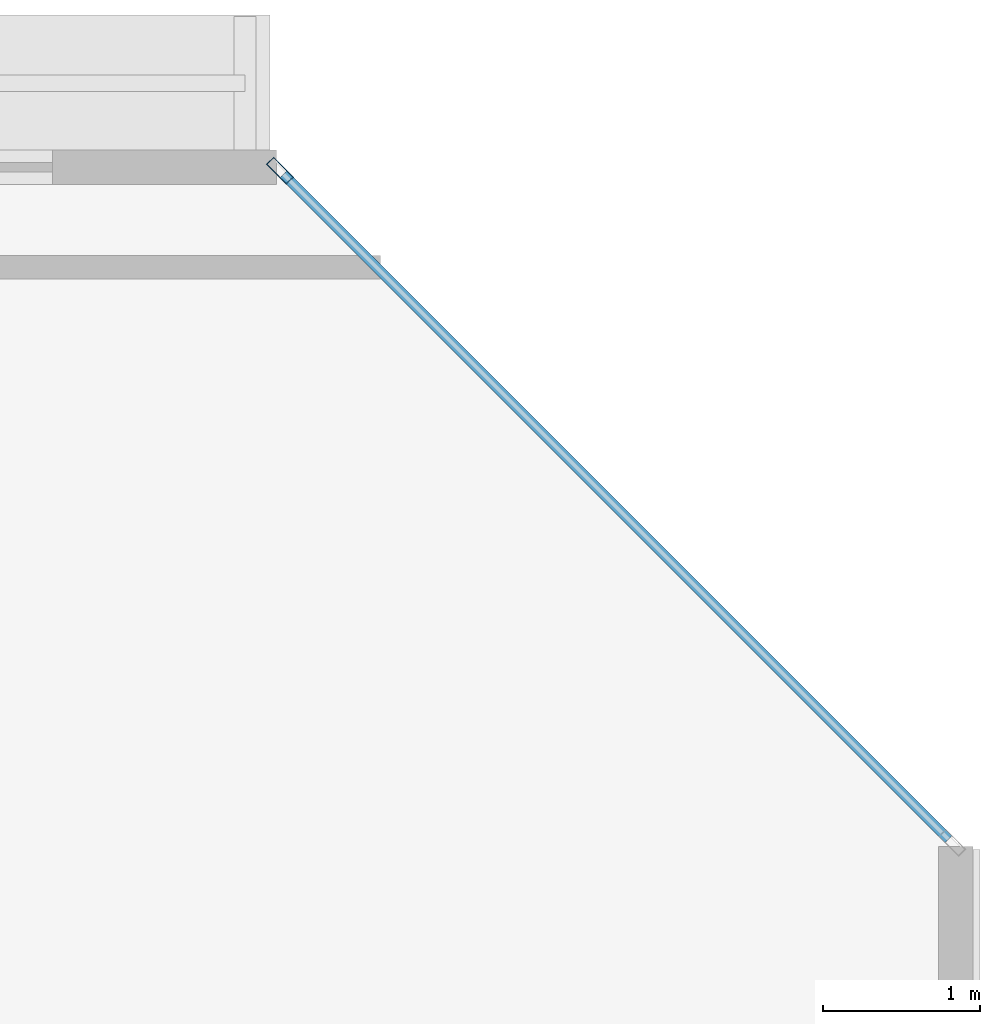
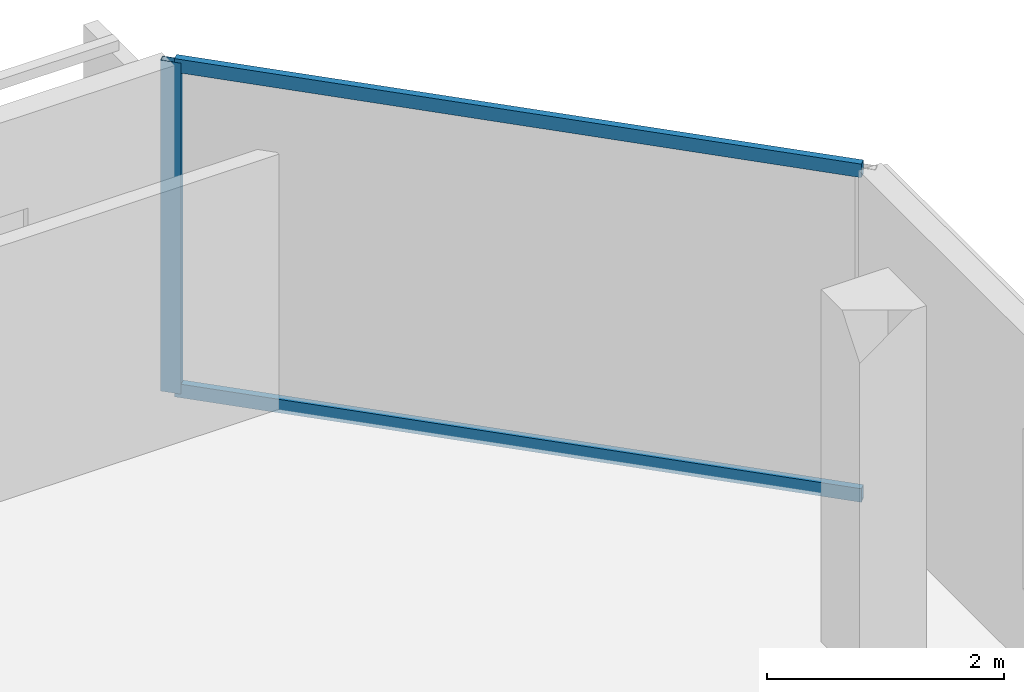
# One storey, part 19 of 28: 3 members, 1 element without a shape of its own.
"""IFC4 building model written with IfcOpenShell, lengths in metres."""

from ifc_helpers import new_model, si_unit, direction, frame, origin, origin_2d, place, context, subcontext, project, spatial, hollow_rectangle, extrude, material, layer, layer_set, material_profile, profile_set, type_object, element, aggregate, save


model = new_model("IFC4")

# Units and contexts
model_context = context("Model", 3, precision=1e-05, world=origin(), true_north=direction((0.0, 1.0)))
body_context = subcontext(model_context, "Body", "Model", "MODEL_VIEW")
ifc_project = project(units=[si_unit("LENGTHUNIT", "METRE"), si_unit("AREAUNIT", "SQUARE_METRE"), si_unit("VOLUMEUNIT", "CUBIC_METRE"), si_unit("PLANEANGLEUNIT", "RADIAN"), si_unit("MASSUNIT", "GRAM", prefix="KILO")], contexts=[model_context])

# Site, building, storey
site_placement = place(None, origin())
site = spatial("IfcSite", under=ifc_project, at=site_placement, CompositionType="ELEMENT")
building_placement = place(site_placement, origin())
building = spatial("IfcBuilding", under=site, at=building_placement, Name="Tanjung Sevakor Pilgrim Tower", CompositionType="ELEMENT")
storey_placement = place(building_placement, frame((0.0, 0.0, 242.550048828125)))
storey = spatial("IfcBuildingStorey", under=building, at=storey_placement, Name="L68", CompositionType="ELEMENT", Elevation=242.550048828125)

# Curtain wall, members
ifc_material_1 = material(Name="Aluminium 6063-T6 and Low-E Glass", Category="aluminium")
ifc_layer = layer(ifc_material_1, 0.179931640625)
ifc_layer_set = layer_set([ifc_layer], Name="CW-SYS-CHAM")
curtain_wall_type = type_object("IfcCurtainWallType", Name="CW-SYS-CHAM", PredefinedType="NOTDEFINED", material=ifc_layer_set)
curtain_wall_placement = place(storey_placement, origin())
curtain_wall = element("IfcCurtainWall", 1, at=curtain_wall_placement, inside=storey, type_object=curtain_wall_type, Name="L68 Curtain Wall CW-CHM-L68-EAST-3", PredefinedType="NOTDEFINED")
ifc_material_2 = material(Name="Aluminium 6063-T6", Category="aluminium")
ifc_material_profile_1 = material_profile(ifc_material_2, hollow_rectangle(XDim=0.06494140625, YDim=0.179931640625, WallThickness=0.00390625, at=origin_2d()))
ifc_profile_set_1 = profile_set([ifc_material_profile_1], Name="Aluminium 6063-T6")
member_type_1 = type_object("IfcMemberType", Name="TYPE-CWM-1", PredefinedType="MULLION", material=ifc_profile_set_1)
member_1_placement = place(storey_placement, frame((94.77734375, 54.866943359375, 0.0), z_axis=(0.0, 0.0, 1.0), x_axis=(-0.707106781187, -0.707106781187, 0.0)))
member_1 = element("IfcMember", 2, at=member_1_placement, type_object=member_type_1, Name="CW-CHM mullion 2", PredefinedType="MULLION", context=body_context, shape_type="SweptSolid", body=[
    extrude(hollow_rectangle(XDim=0.06494140625, YDim=0.179931640625, WallThickness=0.00390625, at=origin_2d()), origin(), (0.0, 0.0, 1.0), 3.409912109375),
])
ifc_material_3 = material(Name="Aluminium 6063-T6", Category="aluminium")
ifc_material_profile_2 = material_profile(ifc_material_3, hollow_rectangle(XDim=0.06494140625, YDim=0.139892578125, WallThickness=0.00390625, at=origin_2d()))
ifc_profile_set_2 = profile_set([ifc_material_profile_2], Name="Aluminium 6063-T6")
member_type_2 = type_object("IfcMemberType", Name="TYPE-CWT-1", PredefinedType="USERDEFINED", material=ifc_profile_set_2)
member_2_placement = place(storey_placement, frame((99.0439453125, 50.600341796875, 0.032470703125), z_axis=(-0.707106781187, 0.707106781187, 0.0), x_axis=(-0.707106781187, -0.707106781187, 0.0)))
member_2 = element("IfcMember", 3, at=member_2_placement, type_object=member_type_2, Name="CW-CHM transom 1.1", ObjectType="TRANSOM", PredefinedType="USERDEFINED", context=body_context, shape_type="SweptSolid", body=[
    extrude(hollow_rectangle(XDim=0.06494140625, YDim=0.139892578125, WallThickness=0.00390625, at=origin_2d()), origin(), (0.0, 0.0, 1.0), 6.00146484375),
])
member_3_placement = place(storey_placement, frame((99.0439453125, 50.600341796875, 3.37744140625), z_axis=(-0.707106781187, 0.707106781187, 0.0), x_axis=(-0.707106781187, -0.707106781187, 0.0)))
member_3 = element("IfcMember", 4, at=member_3_placement, type_object=member_type_2, Name="CW-CHM transom 1.2", ObjectType="TRANSOM", PredefinedType="USERDEFINED", context=body_context, shape_type="SweptSolid", body=[
    extrude(hollow_rectangle(XDim=0.06494140625, YDim=0.139892578125, WallThickness=0.00390625, at=origin_2d()), origin(), (0.0, 0.0, 1.0), 6.00146484375),
])
aggregate(curtain_wall, [member_1, member_2, member_3])

save(model, "model.ifc")
